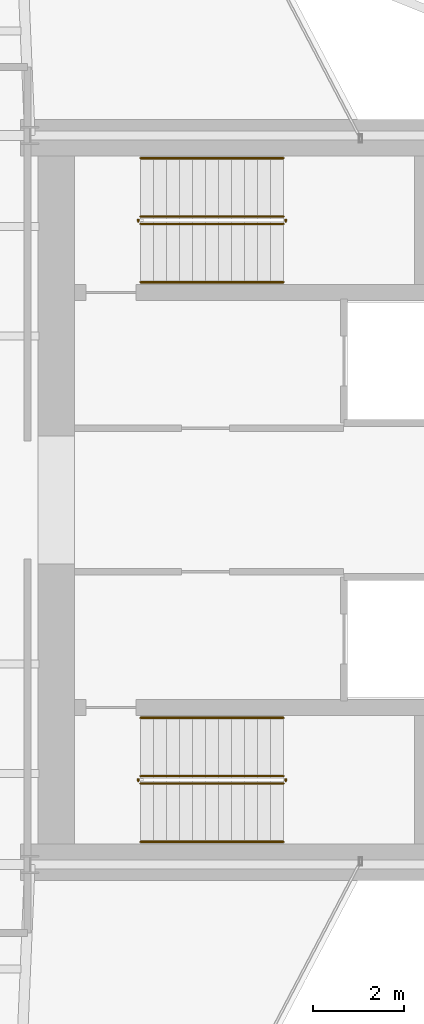
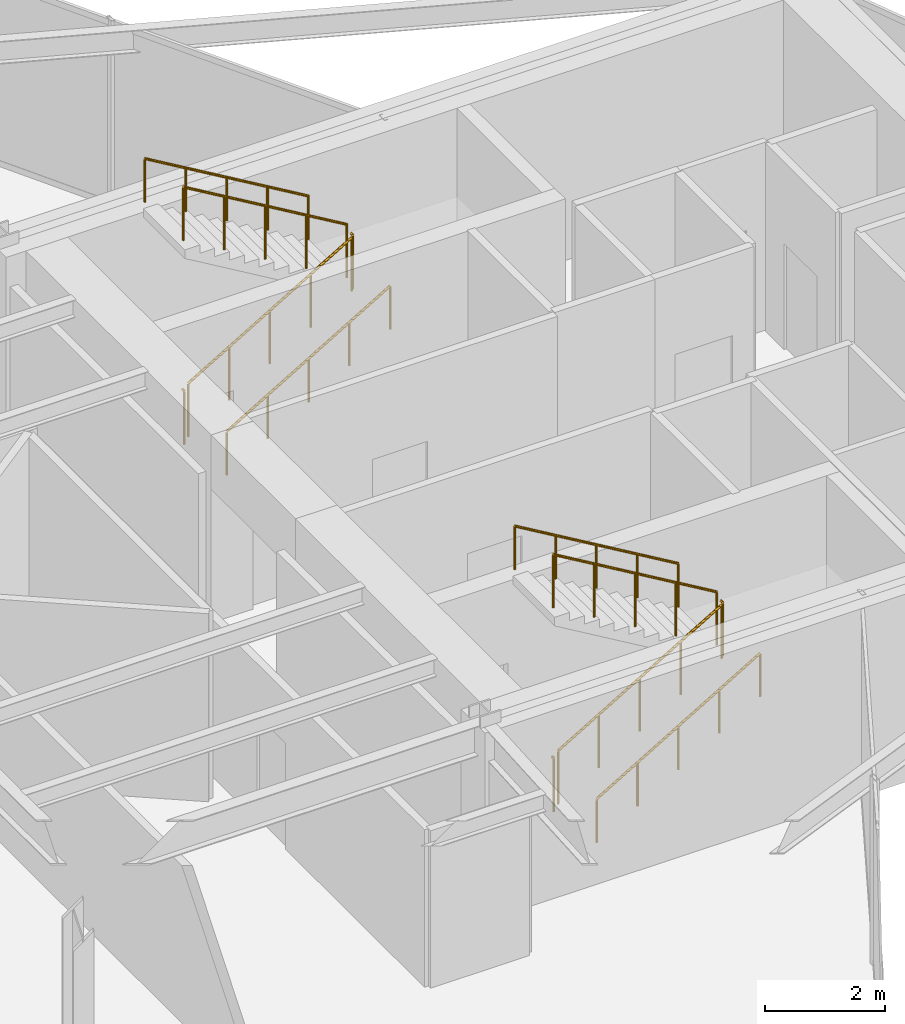
# One storey, part 25 of 25: 12 railings.
"""IFC4 building model written with IfcOpenShell, lengths in metres."""

from ifc_helpers import new_model, si_unit, direction, frame, origin, origin_2d, place, context, subcontext, project, spatial, circle, extrude, material, type_object, element, save


model = new_model("IFC4")

# Units and contexts
model_context = context("Model", 3, precision=1e-05, world=origin(), true_north=direction((0.0, 1.0)))
body_context = subcontext(model_context, "Body", "Model", "MODEL_VIEW")
ifc_project = project(units=[si_unit("LENGTHUNIT", "METRE"), si_unit("AREAUNIT", "SQUARE_METRE"), si_unit("VOLUMEUNIT", "CUBIC_METRE"), si_unit("PLANEANGLEUNIT", "RADIAN"), si_unit("MASSUNIT", "GRAM", prefix="KILO")], contexts=[model_context])

# Site, building, storey
site_placement = place(None, origin())
site = spatial("IfcSite", under=ifc_project, at=site_placement, CompositionType="ELEMENT")
building_placement = place(site_placement, origin())
building = spatial("IfcBuilding", under=site, at=building_placement, Name="Veymaron Broadcast Tower", CompositionType="ELEMENT")
storey_placement = place(building_placement, frame((0.0, 0.0, 149.25)))
storey = spatial("IfcBuildingStorey", under=building, at=storey_placement, Name="L34", CompositionType="ELEMENT", Elevation=149.25)

# Railings
ifc_material_1 = material(Name="Brushed stainless steel AISI 304", Category="steel")
railing_type_1 = type_object("IfcRailingType", Name="RAIL-STAIR-HR", PredefinedType="HANDRAIL", material=ifc_material_1)
railing_1_placement = place(storey_placement, frame((41.429931640625, 28.780029296875, 0.168701171875)))
element("IfcRailing", 1, at=railing_1_placement, inside=storey, type_object=railing_type_1, Name="L34 ST1 stair handrail 1", PredefinedType="HANDRAIL", context=body_context, shape_type="SweptSolid", body=[
    extrude(circle(Radius=0.02392578125, at=origin_2d()), frame((0.0, 0.0, 0.8759765625), z_axis=(0.860481960309, 0.0, 0.509480908359), x_axis=(0.0, 1.0, 0.0)), (0.0, 0.0, 1.0), 3.643310546875),
    extrude(circle(Radius=0.02099609375, at=origin_2d()), origin(), (0.0, 0.0, 1.0), 0.851806640625),
    extrude(circle(Radius=0.02099609375, at=origin_2d()), frame((0.78369140625, 0.0, 0.464111328125)), (0.0, 0.0, 1.0), 0.851806640625),
    extrude(circle(Radius=0.02099609375, at=origin_2d()), frame((1.5673828125, 0.0, 0.92822265625)), (0.0, 0.0, 1.0), 0.851806640625),
    extrude(circle(Radius=0.02099609375, at=origin_2d()), frame((2.351318359375, 0.0, 1.39208984375)), (0.0, 0.0, 1.0), 0.851806640625),
    extrude(circle(Radius=0.02099609375, at=origin_2d()), frame((3.135009765625, 0.0, 1.856201171875)), (0.0, 0.0, 1.0), 0.851806640625),
])
railing_2_placement = place(storey_placement, frame((44.56494140625, 31.5, 2.19384765625)))
element("IfcRailing", 2, at=railing_2_placement, inside=storey, type_object=railing_type_1, Name="L34 ST1 stair handrail 2", PredefinedType="HANDRAIL", context=body_context, shape_type="SweptSolid", body=[
    extrude(circle(Radius=0.02392578125, at=origin_2d()), frame((0.0, 0.0, 0.8759765625), z_axis=(-0.860481960309, 0.0, 0.509480908359), x_axis=(0.0, -1.0, 0.0)), (0.0, 0.0, 1.0), 3.643310546875),
    extrude(circle(Radius=0.02099609375, at=origin_2d()), origin(), (0.0, 0.0, 1.0), 0.851806640625),
    extrude(circle(Radius=0.02099609375, at=origin_2d()), frame((-0.78369140625, 0.0, 0.464111328125)), (0.0, 0.0, 1.0), 0.851806640625),
    extrude(circle(Radius=0.02099609375, at=origin_2d()), frame((-1.5673828125, 0.0, 0.92822265625)), (0.0, 0.0, 1.0), 0.851806640625),
    extrude(circle(Radius=0.02099609375, at=origin_2d()), frame((-2.351318359375, 0.0, 1.39208984375)), (0.0, 0.0, 1.0), 0.851806640625),
    extrude(circle(Radius=0.02099609375, at=origin_2d()), frame((-3.135009765625, 0.0, 1.856201171875)), (0.0, 0.0, 1.0), 0.851806640625),
])
railing_3_placement = place(storey_placement, frame((41.429931640625, 16.5, 0.168701171875)))
element("IfcRailing", 3, at=railing_3_placement, inside=storey, type_object=railing_type_1, Name="L34 ST2 stair handrail 1", PredefinedType="HANDRAIL", context=body_context, shape_type="SweptSolid", body=[
    extrude(circle(Radius=0.02392578125, at=origin_2d()), frame((0.0, 0.0, 0.8759765625), z_axis=(0.860481960309, 0.0, 0.509480908359), x_axis=(0.0, 1.0, 0.0)), (0.0, 0.0, 1.0), 3.643310546875),
    extrude(circle(Radius=0.02099609375, at=origin_2d()), origin(), (0.0, 0.0, 1.0), 0.851806640625),
    extrude(circle(Radius=0.02099609375, at=origin_2d()), frame((0.78369140625, 0.0, 0.464111328125)), (0.0, 0.0, 1.0), 0.851806640625),
    extrude(circle(Radius=0.02099609375, at=origin_2d()), frame((1.5673828125, 0.0, 0.92822265625)), (0.0, 0.0, 1.0), 0.851806640625),
    extrude(circle(Radius=0.02099609375, at=origin_2d()), frame((2.351318359375, 0.0, 1.39208984375)), (0.0, 0.0, 1.0), 0.851806640625),
    extrude(circle(Radius=0.02099609375, at=origin_2d()), frame((3.135009765625, 0.0, 1.856201171875)), (0.0, 0.0, 1.0), 0.851806640625),
])
railing_4_placement = place(storey_placement, frame((44.56494140625, 19.219970703125, 2.19384765625)))
element("IfcRailing", 4, at=railing_4_placement, inside=storey, type_object=railing_type_1, Name="L34 ST2 stair handrail 2", PredefinedType="HANDRAIL", context=body_context, shape_type="SweptSolid", body=[
    extrude(circle(Radius=0.02392578125, at=origin_2d()), frame((0.0, 0.0, 0.8759765625), z_axis=(-0.860481960309, 0.0, 0.509480908359), x_axis=(0.0, -1.0, 0.0)), (0.0, 0.0, 1.0), 3.643310546875),
    extrude(circle(Radius=0.02099609375, at=origin_2d()), origin(), (0.0, 0.0, 1.0), 0.851806640625),
    extrude(circle(Radius=0.02099609375, at=origin_2d()), frame((-0.78369140625, 0.0, 0.464111328125)), (0.0, 0.0, 1.0), 0.851806640625),
    extrude(circle(Radius=0.02099609375, at=origin_2d()), frame((-1.5673828125, 0.0, 0.92822265625)), (0.0, 0.0, 1.0), 0.851806640625),
    extrude(circle(Radius=0.02099609375, at=origin_2d()), frame((-2.351318359375, 0.0, 1.39208984375)), (0.0, 0.0, 1.0), 0.851806640625),
    extrude(circle(Radius=0.02099609375, at=origin_2d()), frame((-3.135009765625, 0.0, 1.856201171875)), (0.0, 0.0, 1.0), 0.851806640625),
])
ifc_material_2 = material(Name="Painted galvanized steel balustrade", Category="steel")
railing_type_2 = type_object("IfcRailingType", Name="RAIL-WELL-GRD", PredefinedType="GUARDRAIL", material=ifc_material_2)
railing_5_placement = place(storey_placement, frame((41.429931640625, 30.06005859375, 0.168701171875)))
element("IfcRailing", 5, at=railing_5_placement, inside=storey, type_object=railing_type_2, Name="L34 ST1 stair guard 1", PredefinedType="GUARDRAIL", context=body_context, shape_type="SweptSolid", body=[
    extrude(circle(Radius=0.02392578125, at=origin_2d()), frame((0.0, 0.0, 1.076171875), z_axis=(0.860481960309, 0.0, 0.509480908359), x_axis=(0.0, 1.0, 0.0)), (0.0, 0.0, 1.0), 3.643310546875),
    extrude(circle(Radius=0.02099609375, at=origin_2d()), origin(), (0.0, 0.0, 1.0), 1.052001953125),
    extrude(circle(Radius=0.02099609375, at=origin_2d()), frame((0.78369140625, 0.0, 0.464111328125)), (0.0, 0.0, 1.0), 1.052001953125),
    extrude(circle(Radius=0.02099609375, at=origin_2d()), frame((1.5673828125, 0.0, 0.92822265625)), (0.0, 0.0, 1.0), 1.052001953125),
    extrude(circle(Radius=0.02099609375, at=origin_2d()), frame((2.351318359375, 0.0, 1.39208984375)), (0.0, 0.0, 1.0), 1.052001953125),
    extrude(circle(Radius=0.02099609375, at=origin_2d()), frame((3.135009765625, 0.0, 1.856201171875)), (0.0, 0.0, 1.0), 1.052001953125),
])
railing_6_placement = place(storey_placement, frame((44.614990234375, 30.110107421875, 2.02490234375)))
element("IfcRailing", 6, at=railing_6_placement, inside=storey, type_object=railing_type_2, Name="L34 ST1 stair guard 2", PredefinedType="GUARDRAIL", context=body_context, shape_type="SweptSolid", body=[
    extrude(circle(Radius=0.02392578125, at=origin_2d()), frame((0.0, 0.0, 1.076171875), z_axis=(0.0, 1.0, 0.0), x_axis=(-1.0, 0.0, 0.0)), (0.0, 0.0, 1.0), 0.059814453125),
    extrude(circle(Radius=0.02099609375, at=origin_2d()), origin(), (0.0, 0.0, 1.0), 1.052001953125),
])
railing_7_placement = place(storey_placement, frame((44.56494140625, 30.219970703125, 2.19384765625)))
element("IfcRailing", 7, at=railing_7_placement, inside=storey, type_object=railing_type_2, Name="L34 ST1 stair guard 3", PredefinedType="GUARDRAIL", context=body_context, shape_type="SweptSolid", body=[
    extrude(circle(Radius=0.02392578125, at=origin_2d()), frame((0.0, 0.0, 1.076171875), z_axis=(-0.860481960309, 0.0, 0.509480908359), x_axis=(0.0, -1.0, 0.0)), (0.0, 0.0, 1.0), 3.643310546875),
    extrude(circle(Radius=0.02099609375, at=origin_2d()), origin(), (0.0, 0.0, 1.0), 1.052001953125),
    extrude(circle(Radius=0.02099609375, at=origin_2d()), frame((-0.78369140625, 0.0, 0.464111328125)), (0.0, 0.0, 1.0), 1.052001953125),
    extrude(circle(Radius=0.02099609375, at=origin_2d()), frame((-1.5673828125, 0.0, 0.92822265625)), (0.0, 0.0, 1.0), 1.052001953125),
    extrude(circle(Radius=0.02099609375, at=origin_2d()), frame((-2.351318359375, 0.0, 1.39208984375)), (0.0, 0.0, 1.0), 1.052001953125),
    extrude(circle(Radius=0.02099609375, at=origin_2d()), frame((-3.135009765625, 0.0, 1.856201171875)), (0.0, 0.0, 1.0), 1.052001953125),
])
railing_8_placement = place(storey_placement, frame((41.3798828125, 30.110107421875, 0.0)))
element("IfcRailing", 8, at=railing_8_placement, inside=storey, type_object=railing_type_2, Name="L34 ST1 stair guard 4", PredefinedType="GUARDRAIL", context=body_context, shape_type="SweptSolid", body=[
    extrude(circle(Radius=0.02392578125, at=origin_2d()), frame((0.0, 0.0, 1.076171875), z_axis=(0.0, 1.0, 0.0), x_axis=(-1.0, 0.0, 0.0)), (0.0, 0.0, 1.0), 0.059814453125),
    extrude(circle(Radius=0.02099609375, at=origin_2d()), origin(), (0.0, 0.0, 1.0), 1.052001953125),
])
railing_9_placement = place(storey_placement, frame((41.429931640625, 17.780029296875, 0.168701171875)))
element("IfcRailing", 9, at=railing_9_placement, inside=storey, type_object=railing_type_2, Name="L34 ST2 stair guard 1", PredefinedType="GUARDRAIL", context=body_context, shape_type="SweptSolid", body=[
    extrude(circle(Radius=0.02392578125, at=origin_2d()), frame((0.0, 0.0, 1.076171875), z_axis=(0.860481960309, 0.0, 0.509480908359), x_axis=(0.0, 1.0, 0.0)), (0.0, 0.0, 1.0), 3.643310546875),
    extrude(circle(Radius=0.02099609375, at=origin_2d()), origin(), (0.0, 0.0, 1.0), 1.052001953125),
    extrude(circle(Radius=0.02099609375, at=origin_2d()), frame((0.78369140625, 0.0, 0.464111328125)), (0.0, 0.0, 1.0), 1.052001953125),
    extrude(circle(Radius=0.02099609375, at=origin_2d()), frame((1.5673828125, 0.0, 0.92822265625)), (0.0, 0.0, 1.0), 1.052001953125),
    extrude(circle(Radius=0.02099609375, at=origin_2d()), frame((2.351318359375, 0.0, 1.39208984375)), (0.0, 0.0, 1.0), 1.052001953125),
    extrude(circle(Radius=0.02099609375, at=origin_2d()), frame((3.135009765625, 0.0, 1.856201171875)), (0.0, 0.0, 1.0), 1.052001953125),
])
railing_10_placement = place(storey_placement, frame((44.614990234375, 17.830078125, 2.02490234375)))
element("IfcRailing", 10, at=railing_10_placement, inside=storey, type_object=railing_type_2, Name="L34 ST2 stair guard 2", PredefinedType="GUARDRAIL", context=body_context, shape_type="SweptSolid", body=[
    extrude(circle(Radius=0.02392578125, at=origin_2d()), frame((0.0, 0.0, 1.076171875), z_axis=(0.0, 1.0, 0.0), x_axis=(-1.0, 0.0, 0.0)), (0.0, 0.0, 1.0), 0.059814453125),
    extrude(circle(Radius=0.02099609375, at=origin_2d()), origin(), (0.0, 0.0, 1.0), 1.052001953125),
])
railing_11_placement = place(storey_placement, frame((44.56494140625, 17.93994140625, 2.19384765625)))
element("IfcRailing", 11, at=railing_11_placement, inside=storey, type_object=railing_type_2, Name="L34 ST2 stair guard 3", PredefinedType="GUARDRAIL", context=body_context, shape_type="SweptSolid", body=[
    extrude(circle(Radius=0.02392578125, at=origin_2d()), frame((0.0, 0.0, 1.076171875), z_axis=(-0.860481960309, 0.0, 0.509480908359), x_axis=(0.0, -1.0, 0.0)), (0.0, 0.0, 1.0), 3.643310546875),
    extrude(circle(Radius=0.02099609375, at=origin_2d()), origin(), (0.0, 0.0, 1.0), 1.052001953125),
    extrude(circle(Radius=0.02099609375, at=origin_2d()), frame((-0.78369140625, 0.0, 0.464111328125)), (0.0, 0.0, 1.0), 1.052001953125),
    extrude(circle(Radius=0.02099609375, at=origin_2d()), frame((-1.5673828125, 0.0, 0.92822265625)), (0.0, 0.0, 1.0), 1.052001953125),
    extrude(circle(Radius=0.02099609375, at=origin_2d()), frame((-2.351318359375, 0.0, 1.39208984375)), (0.0, 0.0, 1.0), 1.052001953125),
    extrude(circle(Radius=0.02099609375, at=origin_2d()), frame((-3.135009765625, 0.0, 1.856201171875)), (0.0, 0.0, 1.0), 1.052001953125),
])
railing_12_placement = place(storey_placement, frame((41.3798828125, 17.830078125, 0.0)))
element("IfcRailing", 12, at=railing_12_placement, inside=storey, type_object=railing_type_2, Name="L34 ST2 stair guard 4", PredefinedType="GUARDRAIL", context=body_context, shape_type="SweptSolid", body=[
    extrude(circle(Radius=0.02392578125, at=origin_2d()), frame((0.0, 0.0, 1.076171875), z_axis=(0.0, 1.0, 0.0), x_axis=(-1.0, 0.0, 0.0)), (0.0, 0.0, 1.0), 0.059814453125),
    extrude(circle(Radius=0.02099609375, at=origin_2d()), origin(), (0.0, 0.0, 1.0), 1.052001953125),
])

save(model, "model.ifc")
